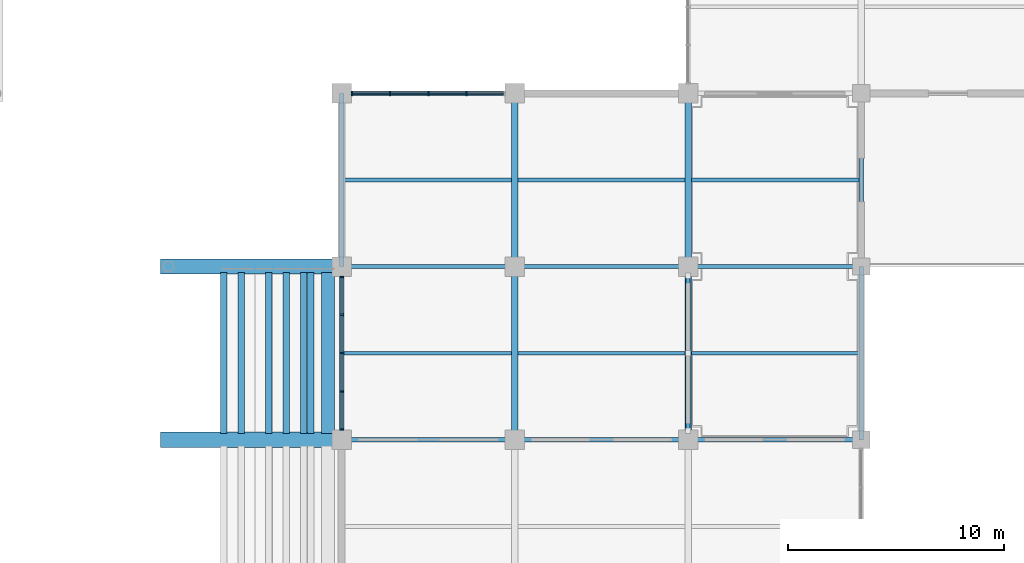
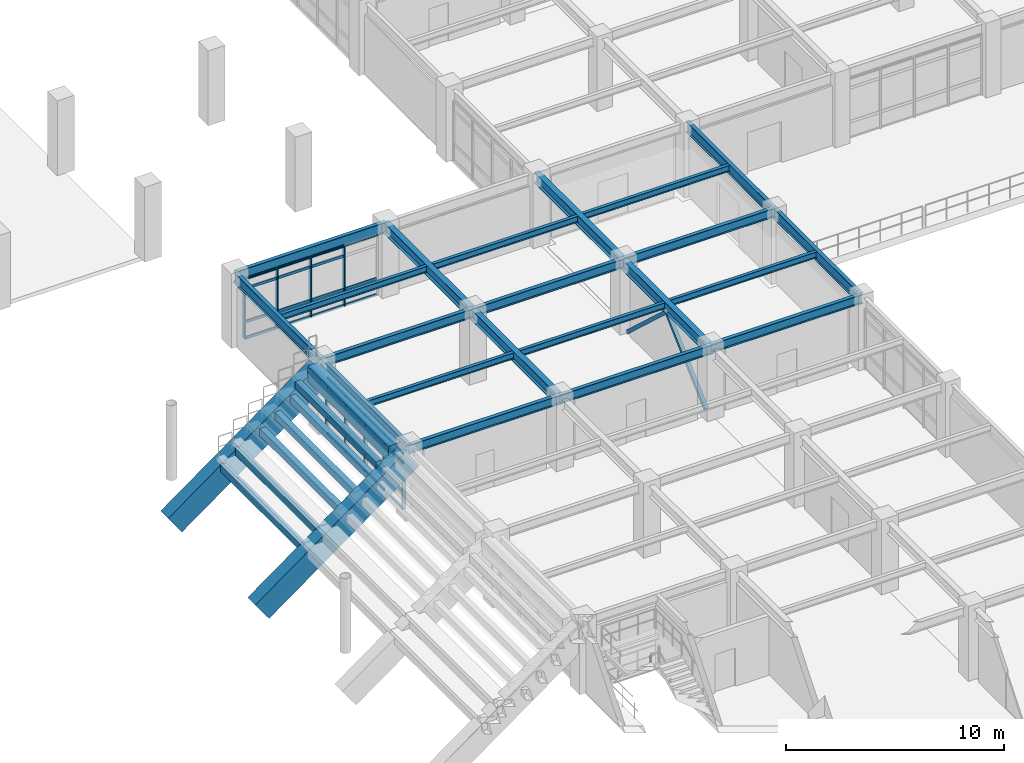
# One storey, part 58 of 118: 41 members, 30 beams, 2 elements without a shape of their own.
"""IFC4 building model written with IfcOpenShell, lengths in metres."""

from ifc_helpers import new_model, si_unit, direction, frame, origin, origin_2d, place, context, subcontext, project, spatial, rectangle, hollow_rectangle, i_section, extrude, material, layer, layer_set, material_profile, profile_set, type_object, element, aggregate, save


model = new_model("IFC4")

# Units and contexts
model_context = context("Model", 3, precision=1e-05, world=origin(), true_north=direction((0.0, 1.0)))
body_context = subcontext(model_context, "Body", "Model", "MODEL_VIEW")
ifc_project = project(units=[si_unit("LENGTHUNIT", "METRE"), si_unit("AREAUNIT", "SQUARE_METRE"), si_unit("VOLUMEUNIT", "CUBIC_METRE"), si_unit("PLANEANGLEUNIT", "RADIAN"), si_unit("MASSUNIT", "GRAM", prefix="KILO")], contexts=[model_context])

# Site, building, storey
site_placement = place(None, origin())
site = spatial("IfcSite", under=ifc_project, at=site_placement, CompositionType="ELEMENT")
building_placement = place(site_placement, origin())
building = spatial("IfcBuilding", under=site, at=building_placement, Name="Haebicheon Civic Stadium", CompositionType="ELEMENT")
storey_placement = place(building_placement, frame((0.0, 0.0, 14.39990234375)))
storey = spatial("IfcBuildingStorey", under=building, at=storey_placement, Name="L04", CompositionType="ELEMENT", Elevation=14.39990234375)

# Beams
ifc_material_1 = material(Name="Precast concrete C40/50", Category="concrete")
ifc_material_profile_1 = material_profile(ifc_material_1, rectangle(XDim=0.300048828125, YDim=0.39990234375, at=origin_2d()), Name="PC-LN-300x400")
ifc_profile_set_1 = profile_set([ifc_material_profile_1], Name="Precast concrete C40/50")
beam_type_1 = type_object("IfcBeamType", Name="BM-LN-300x400", PredefinedType="LINTEL", material=ifc_profile_set_1)
for number, where, z_axis, x_axis, name in (
    (1, (138.56005859375, 128.280029296875, -0.10693359375), (0.0, 1.0, 0.0), (-1.0, 0.0, 0.0), "TIER-E-U precast step carrier beam 11.4"),
    (2, (139.360107421875, 128.280029296875, 0.5380859375), (0.0, 1.0, 0.0), (-1.0, 0.0, 0.0), "TIER-E-U precast step carrier beam 11.5"),
    (3, (140.639892578125, 128.280029296875, 1.18212890625), (0.0, 1.0, 0.0), (-1.0, 0.0, 0.0), "TIER-E-U precast step carrier beam 11.6"),
    (4, (141.43994140625, 128.280029296875, 1.8271484375), (0.0, 1.0, 0.0), (-1.0, 0.0, 0.0), "TIER-E-U precast step carrier beam 11.7"),
    (5, (142.239990234375, 128.280029296875, 2.47119140625), (0.0, 1.0, 0.0), (-1.0, 0.0, 0.0), "TIER-E-U precast step carrier beam 11.8"),
    (6, (142.56005859375, 128.280029296875, 3.1162109375), (0.0, 1.0, 0.0), (-1.0, 0.0, 0.0), "TIER-E-U precast step carrier beam 11.9"),
):
    element("IfcBeam", number, at=place(storey_placement, frame(where, z_axis=z_axis, x_axis=x_axis)), inside=storey, type_object=beam_type_1, material=ifc_profile_set_1, Name=name, PredefinedType="LINTEL", context=body_context, shape_type="SweptSolid", body=[
        extrude(rectangle(XDim=0.300048828125, YDim=0.39990234375, at=origin_2d()), origin(), (0.0, 0.0, 1.0), 7.43994140625),
    ])
ifc_material_2 = material(Name="Steel SM355 (S355)", Category="steel")
ifc_material_profile_2 = material_profile(ifc_material_2, i_section(OverallWidth=0.199951171875, OverallDepth=0.5, WebThickness=0.010009765625, FlangeThickness=0.01611328125, at=origin_2d()), Name="H-500x200x10x16")
ifc_profile_set_2 = profile_set([ifc_material_profile_2], Name="Steel SM355 (S355)")
beam_type_2 = type_object("IfcBeamType", Name="BM-ST-H500", PredefinedType="BEAM", material=ifc_profile_set_2)
for number, where, z_axis, x_axis, name in (
    (7, (144.0, 128.0, 3.690185546875), (1.0, 0.0, 0.0), (0.0, 1.0, 0.0), "L04 beam S/19-20"),
    (8, (144.0, 136.0, 3.690185546875), (1.0, 0.0, 0.0), (0.0, 1.0, 0.0), "L04 beam T/19-20"),
    (9, (152.0, 128.0, 3.690185546875), (1.0, 0.0, 0.0), (0.0, 1.0, 0.0), "L04 beam S/20-21"),
    (10, (152.0, 136.0, 3.690185546875), (1.0, 0.0, 0.0), (0.0, 1.0, 0.0), "L04 beam T/20-21"),
    (11, (160.0, 128.0, 3.72998046875), (1.0, 0.0, 0.0), (0.0, 1.0, 0.0), "L04 beam S/21-22"),
    (12, (160.0, 136.0, 3.72998046875), (1.0, 0.0, 0.0), (0.0, 1.0, 0.0), "L04 beam T/21-22"),
):
    element("IfcBeam", number, at=place(storey_placement, frame(where, z_axis=z_axis, x_axis=x_axis)), inside=storey, type_object=beam_type_2, material=ifc_profile_set_2, Name=name, PredefinedType="BEAM", context=body_context, shape_type="SweptSolid", body=[
        extrude(i_section(OverallWidth=0.199951171875, OverallDepth=0.5, WebThickness=0.010009765625, FlangeThickness=0.01611328125, at=origin_2d()), origin(), (0.0, 0.0, 1.0), 8.0),
    ])
ifc_material_3 = material(Name="Steel SM355 (S355)", Category="steel")
ifc_material_profile_3 = material_profile(ifc_material_3, i_section(OverallWidth=0.300048828125, OverallDepth=0.60009765625, WebThickness=0.011962890625, FlangeThickness=0.02001953125, at=origin_2d()), Name="H-600x300x12x20")
ifc_profile_set_3 = profile_set([ifc_material_profile_3], Name="Steel SM355 (S355)")
beam_type_3 = type_object("IfcBeamType", Name="BM-ST-H600A", PredefinedType="BEAM", material=ifc_profile_set_3)
for number, where, z_axis, x_axis, name in (
    (13, (152.0, 128.0, 3.64013671875), (0.0, 1.0, 0.0), (-1.0, 0.0, 0.0), "L04 girder 20/S-T"),
    (14, (152.0, 136.0, 3.64013671875), (0.0, 1.0, 0.0), (-1.0, 0.0, 0.0), "L04 girder 20/T-U"),
    (15, (160.0, 128.0, 3.64013671875), (0.0, 1.0, 0.0), (-1.0, 0.0, 0.0), "L04 girder 21/S-T"),
    (16, (160.0, 136.0, 3.64013671875), (0.0, 1.0, 0.0), (-1.0, 0.0, 0.0), "L04 girder 21/T-U"),
):
    element("IfcBeam", number, at=place(storey_placement, frame(where, z_axis=z_axis, x_axis=x_axis)), inside=storey, type_object=beam_type_3, material=ifc_profile_set_3, Name=name, PredefinedType="BEAM", context=body_context, shape_type="SweptSolid", body=[
        extrude(i_section(OverallWidth=0.300048828125, OverallDepth=0.60009765625, WebThickness=0.011962890625, FlangeThickness=0.02001953125, at=origin_2d()), origin(), (0.0, 0.0, 1.0), 8.0),
    ])
ifc_material_4 = material(Name="Precast concrete C40/50", Category="concrete")
ifc_material_profile_4 = material_profile(ifc_material_4, rectangle(XDim=0.60009765625, YDim=0.85009765625, at=origin_2d()), Name="PC-TB-600x850")
ifc_profile_set_4 = profile_set([ifc_material_profile_4], Name="Precast concrete C40/50")
beam_type_4 = type_object("IfcBeamType", Name="BM-TB-600x850", PredefinedType="T_BEAM", material=ifc_profile_set_4)
beam_placement = place(storey_placement, frame((143.360107421875, 128.280029296875, 3.53515625), z_axis=(0.0, 1.0, 0.0), x_axis=(-1.0, 0.0, 0.0)))
element("IfcBeam", 17, at=beam_placement, inside=storey, type_object=beam_type_4, material=ifc_profile_set_4, Name="TIER-E-U upper tier bench carrier beam 11", PredefinedType="T_BEAM", context=body_context, shape_type="SweptSolid", body=[
    extrude(rectangle(XDim=0.60009765625, YDim=0.85009765625, at=origin_2d()), origin(), (0.0, 0.0, 1.0), 7.43994140625),
])

# Members
ifc_material_5 = material(Name="Steel SM355 (S355)", Category="steel")
ifc_material_profile_5 = material_profile(ifc_material_5, hollow_rectangle(XDim=0.199951171875, YDim=0.199951171875, WallThickness=0.009033203125, at=origin_2d()), Name="RHS-200x200x9.0")
ifc_profile_set_5 = profile_set([ifc_material_profile_5], Name="Steel SM355 (S355)")
member_type_1 = type_object("IfcMemberType", Name="BRC-RHS200", PredefinedType="BRACE", material=ifc_profile_set_5)
for number, where, z_axis, x_axis, name in (
    (18, (160.0, 128.419921875, 0.0400390625), (0.0, 0.735278088986, 0.677765543427), (-1.0, 0.0, 0.0), "BR200 chevron brace L04 19-16 A"),
    (19, (160.0, 135.580078125, 0.0400390625), (0.0, -0.735278088986, 0.677765543427), (1.0, 0.0, 0.0), "BR200 chevron brace L04 19-16 B"),
):
    element("IfcMember", number, at=place(storey_placement, frame(where, z_axis=z_axis, x_axis=x_axis)), inside=storey, type_object=member_type_1, material=ifc_profile_set_5, Name=name, PredefinedType="BRACE", context=body_context, shape_type="SweptSolid", body=[
        extrude(hollow_rectangle(XDim=0.199951171875, YDim=0.199951171875, WallThickness=0.009033203125, at=origin_2d()), origin(), (0.0, 0.0, 1.0), 4.868896484375),
    ])

# Curtain wall, members
ifc_material_6 = material(Name="Anodised aluminium and laminated glass", Category="aluminium")
ifc_layer_1 = layer(ifc_material_6, 0.179931640625, Name="Anodised aluminium and laminated glass")
ifc_layer_set_1 = layer_set([ifc_layer_1], Name="Anodised aluminium and laminated glass")
curtain_wall_type_1 = type_object("IfcCurtainWallType", Name="CW-7100x3100", PredefinedType="NOTDEFINED", material=ifc_layer_set_1)
curtain_wall_1_placement = place(storey_placement, origin())
curtain_wall_1 = element("IfcCurtainWall", 20, at=curtain_wall_1_placement, inside=storey, type_object=curtain_wall_type_1, material=ifc_layer_set_1, Name="L04 unitised curtain wall 147", PredefinedType="NOTDEFINED")
ifc_material_7 = material(Name="Anodised aluminium 6063-T6", Category="aluminium")
ifc_material_profile_6 = material_profile(ifc_material_7, rectangle(XDim=0.070068359375, YDim=0.199951171875, at=origin_2d()), Name="ALU-MULL-70x200")
ifc_profile_set_6 = profile_set([ifc_material_profile_6], Name="Anodised aluminium 6063-T6")
member_type_2 = type_object("IfcMemberType", Name="CWM-200x70", PredefinedType="MULLION", material=ifc_profile_set_6)
member_1_placement = place(storey_placement, frame((144.0, 128.485107421875, 0.0), z_axis=(0.0, 0.0, 1.0), x_axis=(0.0, 1.0, 0.0)))
member_1 = element("IfcMember", 21, at=member_1_placement, type_object=member_type_2, material=ifc_profile_set_6, Name="CW-L04-147 vertical mullion 1", PredefinedType="MULLION", context=body_context, shape_type="SweptSolid", body=[
    extrude(rectangle(XDim=0.070068359375, YDim=0.199951171875, at=origin_2d()), origin(), (0.0, 0.0, 1.0), 3.10009765625),
])
member_2_placement = place(storey_placement, frame((144.0, 130.22509765625, 0.0), z_axis=(0.0, 0.0, 1.0), x_axis=(0.0, 1.0, 0.0)))
member_2 = element("IfcMember", 22, at=member_2_placement, type_object=member_type_2, material=ifc_profile_set_6, Name="CW-L04-147 vertical mullion 2", PredefinedType="MULLION", context=body_context, shape_type="SweptSolid", body=[
    extrude(rectangle(XDim=0.070068359375, YDim=0.199951171875, at=origin_2d()), origin(), (0.0, 0.0, 1.0), 3.10009765625),
])
member_3_placement = place(storey_placement, frame((144.0, 132.0, 0.0), z_axis=(0.0, 0.0, 1.0), x_axis=(0.0, 1.0, 0.0)))
member_3 = element("IfcMember", 23, at=member_3_placement, type_object=member_type_2, material=ifc_profile_set_6, Name="CW-L04-147 vertical mullion 3", PredefinedType="MULLION", context=body_context, shape_type="SweptSolid", body=[
    extrude(rectangle(XDim=0.070068359375, YDim=0.199951171875, at=origin_2d()), origin(), (0.0, 0.0, 1.0), 3.10009765625),
])
member_4_placement = place(storey_placement, frame((144.0, 133.77490234375, 0.0), z_axis=(0.0, 0.0, 1.0), x_axis=(0.0, 1.0, 0.0)))
member_4 = element("IfcMember", 24, at=member_4_placement, type_object=member_type_2, material=ifc_profile_set_6, Name="CW-L04-147 vertical mullion 4", PredefinedType="MULLION", context=body_context, shape_type="SweptSolid", body=[
    extrude(rectangle(XDim=0.070068359375, YDim=0.199951171875, at=origin_2d()), origin(), (0.0, 0.0, 1.0), 3.10009765625),
])
member_5_placement = place(storey_placement, frame((144.0, 135.514892578125, 0.0), z_axis=(0.0, 0.0, 1.0), x_axis=(0.0, 1.0, 0.0)))
member_5 = element("IfcMember", 25, at=member_5_placement, type_object=member_type_2, material=ifc_profile_set_6, Name="CW-L04-147 vertical mullion 5", PredefinedType="MULLION", context=body_context, shape_type="SweptSolid", body=[
    extrude(rectangle(XDim=0.070068359375, YDim=0.199951171875, at=origin_2d()), origin(), (0.0, 0.0, 1.0), 3.10009765625),
])

ifc_material_8 = material(Name="Anodised aluminium and laminated glass", Category="aluminium")
ifc_layer_2 = layer(ifc_material_8, 0.179931640625, Name="Anodised aluminium and laminated glass")
ifc_layer_set_2 = layer_set([ifc_layer_2], Name="Anodised aluminium and laminated glass")
curtain_wall_type_2 = type_object("IfcCurtainWallType", Name="CW-7100x3330", PredefinedType="NOTDEFINED", material=ifc_layer_set_2)
curtain_wall_2_placement = place(storey_placement, origin())
curtain_wall_2 = element("IfcCurtainWall", 26, at=curtain_wall_2_placement, inside=storey, type_object=curtain_wall_type_2, material=ifc_layer_set_2, Name="L04 unitised curtain wall 148", PredefinedType="NOTDEFINED")
member_6_placement = place(storey_placement, frame((144.485107421875, 144.0, 0.0), z_axis=(0.0, 0.0, 1.0), x_axis=(1.0, 0.0, 0.0)))
member_6 = element("IfcMember", 27, at=member_6_placement, type_object=member_type_2, material=ifc_profile_set_6, Name="CW-L04-148 vertical mullion 1", PredefinedType="MULLION", context=body_context, shape_type="SweptSolid", body=[
    extrude(rectangle(XDim=0.070068359375, YDim=0.199951171875, at=origin_2d()), origin(), (0.0, 0.0, 1.0), 3.330078125),
])
member_7_placement = place(storey_placement, frame((146.22509765625, 144.0, 0.0), z_axis=(0.0, 0.0, 1.0), x_axis=(1.0, 0.0, 0.0)))
member_7 = element("IfcMember", 28, at=member_7_placement, type_object=member_type_2, material=ifc_profile_set_6, Name="CW-L04-148 vertical mullion 2", PredefinedType="MULLION", context=body_context, shape_type="SweptSolid", body=[
    extrude(rectangle(XDim=0.070068359375, YDim=0.199951171875, at=origin_2d()), origin(), (0.0, 0.0, 1.0), 3.330078125),
])
member_8_placement = place(storey_placement, frame((148.0, 144.0, 0.0), z_axis=(0.0, 0.0, 1.0), x_axis=(1.0, 0.0, 0.0)))
member_8 = element("IfcMember", 29, at=member_8_placement, type_object=member_type_2, material=ifc_profile_set_6, Name="CW-L04-148 vertical mullion 3", PredefinedType="MULLION", context=body_context, shape_type="SweptSolid", body=[
    extrude(rectangle(XDim=0.070068359375, YDim=0.199951171875, at=origin_2d()), origin(), (0.0, 0.0, 1.0), 3.330078125),
])
member_9_placement = place(storey_placement, frame((149.77490234375, 144.0, 0.0), z_axis=(0.0, 0.0, 1.0), x_axis=(1.0, 0.0, 0.0)))
member_9 = element("IfcMember", 30, at=member_9_placement, type_object=member_type_2, material=ifc_profile_set_6, Name="CW-L04-148 vertical mullion 4", PredefinedType="MULLION", context=body_context, shape_type="SweptSolid", body=[
    extrude(rectangle(XDim=0.070068359375, YDim=0.199951171875, at=origin_2d()), origin(), (0.0, 0.0, 1.0), 3.330078125),
])

# Member
ifc_material_9 = material(Name="Anodised aluminium 6063-T6", Category="aluminium")
ifc_material_profile_7 = material_profile(ifc_material_9, rectangle(XDim=0.070068359375, YDim=0.14990234375, at=origin_2d()), Name="ALU-TRAN-70x150")
ifc_profile_set_7 = profile_set([ifc_material_profile_7], Name="Anodised aluminium 6063-T6")
member_type_3 = type_object("IfcMemberType", Name="CWT-150x70", PredefinedType="NOTDEFINED", material=ifc_profile_set_7)
member_10_placement = place(storey_placement, frame((144.0, 128.52001953125, 0.0), z_axis=(0.0, 1.0, 0.0), x_axis=(-1.0, 0.0, 0.0)))
member_10 = element("IfcMember", 31, at=member_10_placement, type_object=member_type_3, material=ifc_profile_set_7, Name="CW-L04-147 horizontal transom 1.1", ObjectType="TRANSOM", PredefinedType="USERDEFINED", context=body_context, shape_type="SweptSolid", body=[
    extrude(rectangle(XDim=0.070068359375, YDim=0.14990234375, at=origin_2d()), origin(), (0.0, 0.0, 1.0), 1.669921875),
])

member_11_placement = place(storey_placement, frame((144.0, 128.52001953125, 0.900146484375), z_axis=(0.0, 1.0, 0.0), x_axis=(-1.0, 0.0, 0.0)))
member_11 = element("IfcMember", 32, at=member_11_placement, type_object=member_type_3, material=ifc_profile_set_7, Name="CW-L04-147 horizontal transom 1.2", ObjectType="TRANSOM", PredefinedType="USERDEFINED", context=body_context, shape_type="SweptSolid", body=[
    extrude(rectangle(XDim=0.070068359375, YDim=0.14990234375, at=origin_2d()), origin(), (0.0, 0.0, 1.0), 1.669921875),
])

member_12_placement = place(storey_placement, frame((144.0, 128.52001953125, 2.550048828125), z_axis=(0.0, 1.0, 0.0), x_axis=(-1.0, 0.0, 0.0)))
member_12 = element("IfcMember", 33, at=member_12_placement, type_object=member_type_3, material=ifc_profile_set_7, Name="CW-L04-147 horizontal transom 1.3", ObjectType="TRANSOM", PredefinedType="USERDEFINED", context=body_context, shape_type="SweptSolid", body=[
    extrude(rectangle(XDim=0.070068359375, YDim=0.14990234375, at=origin_2d()), origin(), (0.0, 0.0, 1.0), 1.669921875),
])

member_13_placement = place(storey_placement, frame((144.0, 128.52001953125, 3.10009765625), z_axis=(0.0, 1.0, 0.0), x_axis=(-1.0, 0.0, 0.0)))
member_13 = element("IfcMember", 34, at=member_13_placement, type_object=member_type_3, material=ifc_profile_set_7, Name="CW-L04-147 horizontal transom 1.4", ObjectType="TRANSOM", PredefinedType="USERDEFINED", context=body_context, shape_type="SweptSolid", body=[
    extrude(rectangle(XDim=0.070068359375, YDim=0.14990234375, at=origin_2d()), origin(), (0.0, 0.0, 1.0), 1.669921875),
])

member_14_placement = place(storey_placement, frame((144.0, 130.260009765625, 0.0), z_axis=(0.0, 1.0, 0.0), x_axis=(-1.0, 0.0, 0.0)))
member_14 = element("IfcMember", 35, at=member_14_placement, type_object=member_type_3, material=ifc_profile_set_7, Name="CW-L04-147 horizontal transom 2.1", ObjectType="TRANSOM", PredefinedType="USERDEFINED", context=body_context, shape_type="SweptSolid", body=[
    extrude(rectangle(XDim=0.070068359375, YDim=0.14990234375, at=origin_2d()), origin(), (0.0, 0.0, 1.0), 1.705078125),
])

member_15_placement = place(storey_placement, frame((144.0, 130.260009765625, 0.900146484375), z_axis=(0.0, 1.0, 0.0), x_axis=(-1.0, 0.0, 0.0)))
member_15 = element("IfcMember", 36, at=member_15_placement, type_object=member_type_3, material=ifc_profile_set_7, Name="CW-L04-147 horizontal transom 2.2", ObjectType="TRANSOM", PredefinedType="USERDEFINED", context=body_context, shape_type="SweptSolid", body=[
    extrude(rectangle(XDim=0.070068359375, YDim=0.14990234375, at=origin_2d()), origin(), (0.0, 0.0, 1.0), 1.705078125),
])

member_16_placement = place(storey_placement, frame((144.0, 130.260009765625, 2.550048828125), z_axis=(0.0, 1.0, 0.0), x_axis=(-1.0, 0.0, 0.0)))
member_16 = element("IfcMember", 37, at=member_16_placement, type_object=member_type_3, material=ifc_profile_set_7, Name="CW-L04-147 horizontal transom 2.3", ObjectType="TRANSOM", PredefinedType="USERDEFINED", context=body_context, shape_type="SweptSolid", body=[
    extrude(rectangle(XDim=0.070068359375, YDim=0.14990234375, at=origin_2d()), origin(), (0.0, 0.0, 1.0), 1.705078125),
])

member_17_placement = place(storey_placement, frame((144.0, 130.260009765625, 3.10009765625), z_axis=(0.0, 1.0, 0.0), x_axis=(-1.0, 0.0, 0.0)))
member_17 = element("IfcMember", 38, at=member_17_placement, type_object=member_type_3, material=ifc_profile_set_7, Name="CW-L04-147 horizontal transom 2.4", ObjectType="TRANSOM", PredefinedType="USERDEFINED", context=body_context, shape_type="SweptSolid", body=[
    extrude(rectangle(XDim=0.070068359375, YDim=0.14990234375, at=origin_2d()), origin(), (0.0, 0.0, 1.0), 1.705078125),
])

member_18_placement = place(storey_placement, frame((144.0, 132.034912109375, 0.0), z_axis=(0.0, 1.0, 0.0), x_axis=(-1.0, 0.0, 0.0)))
member_18 = element("IfcMember", 39, at=member_18_placement, type_object=member_type_3, material=ifc_profile_set_7, Name="CW-L04-147 horizontal transom 3.1", ObjectType="TRANSOM", PredefinedType="USERDEFINED", context=body_context, shape_type="SweptSolid", body=[
    extrude(rectangle(XDim=0.070068359375, YDim=0.14990234375, at=origin_2d()), origin(), (0.0, 0.0, 1.0), 1.705078125),
])

member_19_placement = place(storey_placement, frame((144.0, 132.034912109375, 0.900146484375), z_axis=(0.0, 1.0, 0.0), x_axis=(-1.0, 0.0, 0.0)))
member_19 = element("IfcMember", 40, at=member_19_placement, type_object=member_type_3, material=ifc_profile_set_7, Name="CW-L04-147 horizontal transom 3.2", ObjectType="TRANSOM", PredefinedType="USERDEFINED", context=body_context, shape_type="SweptSolid", body=[
    extrude(rectangle(XDim=0.070068359375, YDim=0.14990234375, at=origin_2d()), origin(), (0.0, 0.0, 1.0), 1.705078125),
])

member_20_placement = place(storey_placement, frame((144.0, 132.034912109375, 2.550048828125), z_axis=(0.0, 1.0, 0.0), x_axis=(-1.0, 0.0, 0.0)))
member_20 = element("IfcMember", 41, at=member_20_placement, type_object=member_type_3, material=ifc_profile_set_7, Name="CW-L04-147 horizontal transom 3.3", ObjectType="TRANSOM", PredefinedType="USERDEFINED", context=body_context, shape_type="SweptSolid", body=[
    extrude(rectangle(XDim=0.070068359375, YDim=0.14990234375, at=origin_2d()), origin(), (0.0, 0.0, 1.0), 1.705078125),
])

member_21_placement = place(storey_placement, frame((144.0, 132.034912109375, 3.10009765625), z_axis=(0.0, 1.0, 0.0), x_axis=(-1.0, 0.0, 0.0)))
member_21 = element("IfcMember", 42, at=member_21_placement, type_object=member_type_3, material=ifc_profile_set_7, Name="CW-L04-147 horizontal transom 3.4", ObjectType="TRANSOM", PredefinedType="USERDEFINED", context=body_context, shape_type="SweptSolid", body=[
    extrude(rectangle(XDim=0.070068359375, YDim=0.14990234375, at=origin_2d()), origin(), (0.0, 0.0, 1.0), 1.705078125),
])

member_22_placement = place(storey_placement, frame((144.0, 133.81005859375, 0.0), z_axis=(0.0, 1.0, 0.0), x_axis=(-1.0, 0.0, 0.0)))
member_22 = element("IfcMember", 43, at=member_22_placement, type_object=member_type_3, material=ifc_profile_set_7, Name="CW-L04-147 horizontal transom 4.1", ObjectType="TRANSOM", PredefinedType="USERDEFINED", context=body_context, shape_type="SweptSolid", body=[
    extrude(rectangle(XDim=0.070068359375, YDim=0.14990234375, at=origin_2d()), origin(), (0.0, 0.0, 1.0), 1.669921875),
])

member_23_placement = place(storey_placement, frame((144.0, 133.81005859375, 0.900146484375), z_axis=(0.0, 1.0, 0.0), x_axis=(-1.0, 0.0, 0.0)))
member_23 = element("IfcMember", 44, at=member_23_placement, type_object=member_type_3, material=ifc_profile_set_7, Name="CW-L04-147 horizontal transom 4.2", ObjectType="TRANSOM", PredefinedType="USERDEFINED", context=body_context, shape_type="SweptSolid", body=[
    extrude(rectangle(XDim=0.070068359375, YDim=0.14990234375, at=origin_2d()), origin(), (0.0, 0.0, 1.0), 1.669921875),
])

member_24_placement = place(storey_placement, frame((144.0, 133.81005859375, 2.550048828125), z_axis=(0.0, 1.0, 0.0), x_axis=(-1.0, 0.0, 0.0)))
member_24 = element("IfcMember", 45, at=member_24_placement, type_object=member_type_3, material=ifc_profile_set_7, Name="CW-L04-147 horizontal transom 4.3", ObjectType="TRANSOM", PredefinedType="USERDEFINED", context=body_context, shape_type="SweptSolid", body=[
    extrude(rectangle(XDim=0.070068359375, YDim=0.14990234375, at=origin_2d()), origin(), (0.0, 0.0, 1.0), 1.669921875),
])

member_25_placement = place(storey_placement, frame((144.0, 133.81005859375, 3.10009765625), z_axis=(0.0, 1.0, 0.0), x_axis=(-1.0, 0.0, 0.0)))
member_25 = element("IfcMember", 46, at=member_25_placement, type_object=member_type_3, material=ifc_profile_set_7, Name="CW-L04-147 horizontal transom 4.4", ObjectType="TRANSOM", PredefinedType="USERDEFINED", context=body_context, shape_type="SweptSolid", body=[
    extrude(rectangle(XDim=0.070068359375, YDim=0.14990234375, at=origin_2d()), origin(), (0.0, 0.0, 1.0), 1.669921875),
])

aggregate(curtain_wall_1, [member_1, member_2, member_3, member_4, member_5, member_10, member_11, member_12, member_13, member_14, member_15, member_16, member_17, member_18, member_19, member_20, member_21, member_22, member_23, member_24, member_25])

member_26_placement = place(storey_placement, frame((144.52001953125, 144.0, 0.0), z_axis=(1.0, 0.0, 0.0), x_axis=(0.0, 1.0, 0.0)))
member_26 = element("IfcMember", 47, at=member_26_placement, type_object=member_type_3, material=ifc_profile_set_7, Name="CW-L04-148 horizontal transom 1.1", ObjectType="TRANSOM", PredefinedType="USERDEFINED", context=body_context, shape_type="SweptSolid", body=[
    extrude(rectangle(XDim=0.070068359375, YDim=0.14990234375, at=origin_2d()), origin(), (0.0, 0.0, 1.0), 1.669921875),
])

member_27_placement = place(storey_placement, frame((144.52001953125, 144.0, 0.900146484375), z_axis=(1.0, 0.0, 0.0), x_axis=(0.0, 1.0, 0.0)))
member_27 = element("IfcMember", 48, at=member_27_placement, type_object=member_type_3, material=ifc_profile_set_7, Name="CW-L04-148 horizontal transom 1.2", ObjectType="TRANSOM", PredefinedType="USERDEFINED", context=body_context, shape_type="SweptSolid", body=[
    extrude(rectangle(XDim=0.070068359375, YDim=0.14990234375, at=origin_2d()), origin(), (0.0, 0.0, 1.0), 1.669921875),
])

member_28_placement = place(storey_placement, frame((144.52001953125, 144.0, 2.780029296875), z_axis=(1.0, 0.0, 0.0), x_axis=(0.0, 1.0, 0.0)))
member_28 = element("IfcMember", 49, at=member_28_placement, type_object=member_type_3, material=ifc_profile_set_7, Name="CW-L04-148 horizontal transom 1.3", ObjectType="TRANSOM", PredefinedType="USERDEFINED", context=body_context, shape_type="SweptSolid", body=[
    extrude(rectangle(XDim=0.070068359375, YDim=0.14990234375, at=origin_2d()), origin(), (0.0, 0.0, 1.0), 1.669921875),
])

member_29_placement = place(storey_placement, frame((144.52001953125, 144.0, 3.330078125), z_axis=(1.0, 0.0, 0.0), x_axis=(0.0, 1.0, 0.0)))
member_29 = element("IfcMember", 50, at=member_29_placement, type_object=member_type_3, material=ifc_profile_set_7, Name="CW-L04-148 horizontal transom 1.4", ObjectType="TRANSOM", PredefinedType="USERDEFINED", context=body_context, shape_type="SweptSolid", body=[
    extrude(rectangle(XDim=0.070068359375, YDim=0.14990234375, at=origin_2d()), origin(), (0.0, 0.0, 1.0), 1.669921875),
])

member_30_placement = place(storey_placement, frame((146.260009765625, 144.0, 0.0), z_axis=(1.0, 0.0, 0.0), x_axis=(0.0, 1.0, 0.0)))
member_30 = element("IfcMember", 51, at=member_30_placement, type_object=member_type_3, material=ifc_profile_set_7, Name="CW-L04-148 horizontal transom 2.1", ObjectType="TRANSOM", PredefinedType="USERDEFINED", context=body_context, shape_type="SweptSolid", body=[
    extrude(rectangle(XDim=0.070068359375, YDim=0.14990234375, at=origin_2d()), origin(), (0.0, 0.0, 1.0), 1.705078125),
])

member_31_placement = place(storey_placement, frame((146.260009765625, 144.0, 0.900146484375), z_axis=(1.0, 0.0, 0.0), x_axis=(0.0, 1.0, 0.0)))
member_31 = element("IfcMember", 52, at=member_31_placement, type_object=member_type_3, material=ifc_profile_set_7, Name="CW-L04-148 horizontal transom 2.2", ObjectType="TRANSOM", PredefinedType="USERDEFINED", context=body_context, shape_type="SweptSolid", body=[
    extrude(rectangle(XDim=0.070068359375, YDim=0.14990234375, at=origin_2d()), origin(), (0.0, 0.0, 1.0), 1.705078125),
])

member_32_placement = place(storey_placement, frame((146.260009765625, 144.0, 2.780029296875), z_axis=(1.0, 0.0, 0.0), x_axis=(0.0, 1.0, 0.0)))
member_32 = element("IfcMember", 53, at=member_32_placement, type_object=member_type_3, material=ifc_profile_set_7, Name="CW-L04-148 horizontal transom 2.3", ObjectType="TRANSOM", PredefinedType="USERDEFINED", context=body_context, shape_type="SweptSolid", body=[
    extrude(rectangle(XDim=0.070068359375, YDim=0.14990234375, at=origin_2d()), origin(), (0.0, 0.0, 1.0), 1.705078125),
])

member_33_placement = place(storey_placement, frame((146.260009765625, 144.0, 3.330078125), z_axis=(1.0, 0.0, 0.0), x_axis=(0.0, 1.0, 0.0)))
member_33 = element("IfcMember", 54, at=member_33_placement, type_object=member_type_3, material=ifc_profile_set_7, Name="CW-L04-148 horizontal transom 2.4", ObjectType="TRANSOM", PredefinedType="USERDEFINED", context=body_context, shape_type="SweptSolid", body=[
    extrude(rectangle(XDim=0.070068359375, YDim=0.14990234375, at=origin_2d()), origin(), (0.0, 0.0, 1.0), 1.705078125),
])

member_34_placement = place(storey_placement, frame((148.034912109375, 144.0, 0.0), z_axis=(1.0, 0.0, 0.0), x_axis=(0.0, 1.0, 0.0)))
member_34 = element("IfcMember", 55, at=member_34_placement, type_object=member_type_3, material=ifc_profile_set_7, Name="CW-L04-148 horizontal transom 3.1", ObjectType="TRANSOM", PredefinedType="USERDEFINED", context=body_context, shape_type="SweptSolid", body=[
    extrude(rectangle(XDim=0.070068359375, YDim=0.14990234375, at=origin_2d()), origin(), (0.0, 0.0, 1.0), 1.705078125),
])

member_35_placement = place(storey_placement, frame((148.034912109375, 144.0, 0.900146484375), z_axis=(1.0, 0.0, 0.0), x_axis=(0.0, 1.0, 0.0)))
member_35 = element("IfcMember", 56, at=member_35_placement, type_object=member_type_3, material=ifc_profile_set_7, Name="CW-L04-148 horizontal transom 3.2", ObjectType="TRANSOM", PredefinedType="USERDEFINED", context=body_context, shape_type="SweptSolid", body=[
    extrude(rectangle(XDim=0.070068359375, YDim=0.14990234375, at=origin_2d()), origin(), (0.0, 0.0, 1.0), 1.705078125),
])

member_36_placement = place(storey_placement, frame((148.034912109375, 144.0, 2.780029296875), z_axis=(1.0, 0.0, 0.0), x_axis=(0.0, 1.0, 0.0)))
member_36 = element("IfcMember", 57, at=member_36_placement, type_object=member_type_3, material=ifc_profile_set_7, Name="CW-L04-148 horizontal transom 3.3", ObjectType="TRANSOM", PredefinedType="USERDEFINED", context=body_context, shape_type="SweptSolid", body=[
    extrude(rectangle(XDim=0.070068359375, YDim=0.14990234375, at=origin_2d()), origin(), (0.0, 0.0, 1.0), 1.705078125),
])

member_37_placement = place(storey_placement, frame((148.034912109375, 144.0, 3.330078125), z_axis=(1.0, 0.0, 0.0), x_axis=(0.0, 1.0, 0.0)))
member_37 = element("IfcMember", 58, at=member_37_placement, type_object=member_type_3, material=ifc_profile_set_7, Name="CW-L04-148 horizontal transom 3.4", ObjectType="TRANSOM", PredefinedType="USERDEFINED", context=body_context, shape_type="SweptSolid", body=[
    extrude(rectangle(XDim=0.070068359375, YDim=0.14990234375, at=origin_2d()), origin(), (0.0, 0.0, 1.0), 1.705078125),
])

member_38_placement = place(storey_placement, frame((149.81005859375, 144.0, 0.0), z_axis=(1.0, 0.0, 0.0), x_axis=(0.0, 1.0, 0.0)))
member_38 = element("IfcMember", 59, at=member_38_placement, type_object=member_type_3, material=ifc_profile_set_7, Name="CW-L04-148 horizontal transom 4.1", ObjectType="TRANSOM", PredefinedType="USERDEFINED", context=body_context, shape_type="SweptSolid", body=[
    extrude(rectangle(XDim=0.070068359375, YDim=0.14990234375, at=origin_2d()), origin(), (0.0, 0.0, 1.0), 1.669921875),
])

member_39_placement = place(storey_placement, frame((149.81005859375, 144.0, 0.900146484375), z_axis=(1.0, 0.0, 0.0), x_axis=(0.0, 1.0, 0.0)))
member_39 = element("IfcMember", 60, at=member_39_placement, type_object=member_type_3, material=ifc_profile_set_7, Name="CW-L04-148 horizontal transom 4.2", ObjectType="TRANSOM", PredefinedType="USERDEFINED", context=body_context, shape_type="SweptSolid", body=[
    extrude(rectangle(XDim=0.070068359375, YDim=0.14990234375, at=origin_2d()), origin(), (0.0, 0.0, 1.0), 1.669921875),
])

aggregate(curtain_wall_2, [member_6, member_7, member_8, member_9, member_26, member_27, member_28, member_29, member_30, member_31, member_32, member_33, member_34, member_35, member_36, member_37, member_38, member_39])

# Beams
ifc_material_10 = material(Name="Steel SM355 (S355)", Category="steel")
ifc_material_profile_8 = material_profile(ifc_material_10, i_section(OverallWidth=0.175048828125, OverallDepth=0.35009765625, WebThickness=0.007080078125, FlangeThickness=0.010986328125, at=origin_2d()), Name="H-350x175x7x11")
ifc_profile_set_8 = profile_set([ifc_material_profile_8], Name="Steel SM355 (S355)")
beam_type_5 = type_object("IfcBeamType", Name="JST-ST-H350", PredefinedType="JOIST", material=ifc_profile_set_8)
for number, where, z_axis, x_axis, name in (
    (61, (144.10009765625, 132.0, 3.76513671875), (1.0, 0.0, 0.0), (0.0, 1.0, 0.0), "L04 secondary joist 18-16"),
    (62, (144.10009765625, 140.0, 3.76513671875), (1.0, 0.0, 0.0), (0.0, 1.0, 0.0), "L04 secondary joist 18-17"),
):
    element("IfcBeam", number, at=place(storey_placement, frame(where, z_axis=z_axis, x_axis=x_axis)), inside=storey, type_object=beam_type_5, material=ifc_profile_set_8, Name=name, PredefinedType="JOIST", context=body_context, shape_type="SweptSolid", body=[
        extrude(i_section(OverallWidth=0.175048828125, OverallDepth=0.35009765625, WebThickness=0.007080078125, FlangeThickness=0.010986328125, at=origin_2d()), origin(), (0.0, 0.0, 1.0), 7.75),
    ])
for number, where, z_axis, x_axis, name in (
    (63, (152.14990234375, 132.0, 3.76513671875), (1.0, 0.0, 0.0), (0.0, 1.0, 0.0), "L04 secondary joist 19-16"),
    (64, (152.14990234375, 140.0, 3.76513671875), (1.0, 0.0, 0.0), (0.0, 1.0, 0.0), "L04 secondary joist 19-17"),
):
    element("IfcBeam", number, at=place(storey_placement, frame(where, z_axis=z_axis, x_axis=x_axis)), inside=storey, type_object=beam_type_5, material=ifc_profile_set_8, Name=name, PredefinedType="JOIST", context=body_context, shape_type="SweptSolid", body=[
        extrude(i_section(OverallWidth=0.175048828125, OverallDepth=0.35009765625, WebThickness=0.007080078125, FlangeThickness=0.010986328125, at=origin_2d()), origin(), (0.0, 0.0, 1.0), 7.7001953125),
    ])
for number, where, z_axis, x_axis, name in (
    (65, (160.14990234375, 132.0, 3.80517578125), (1.0, 0.0, 0.0), (0.0, 1.0, 0.0), "L04 secondary joist 20-16"),
    (66, (160.14990234375, 140.0, 3.80517578125), (1.0, 0.0, 0.0), (0.0, 1.0, 0.0), "L04 secondary joist 20-17"),
):
    element("IfcBeam", number, at=place(storey_placement, frame(where, z_axis=z_axis, x_axis=x_axis)), inside=storey, type_object=beam_type_5, material=ifc_profile_set_8, Name=name, PredefinedType="JOIST", context=body_context, shape_type="SweptSolid", body=[
        extrude(i_section(OverallWidth=0.175048828125, OverallDepth=0.35009765625, WebThickness=0.007080078125, FlangeThickness=0.010986328125, at=origin_2d()), origin(), (0.0, 0.0, 1.0), 7.75),
    ])
ifc_material_11 = material(Name="Precast concrete C40/50", Category="concrete")
ifc_material_profile_9 = material_profile(ifc_material_11, rectangle(XDim=0.699951171875, YDim=1.25, at=origin_2d()), Name="PC-RK-700x1250")
ifc_profile_set_9 = profile_set([ifc_material_profile_9], Name="Precast concrete C40/50")
beam_type_6 = type_object("IfcBeamType", Name="RK-PC-700x1250", PredefinedType="USERDEFINED", material=ifc_profile_set_9)
for number, where, z_axis, x_axis, name in (
    (67, (136.0, 128.0, -2.46484375), (0.809608095134, 0.0, 0.586970810428), (0.0, 1.0, 0.0), "TIER-E-U inclined precast raker beam 11"),
    (68, (136.0, 136.0, -2.46484375), (0.809608095134, 0.0, 0.586970810428), (0.0, 1.0, 0.0), "TIER-E-U inclined precast raker beam 12"),
):
    element("IfcBeam", number, at=place(storey_placement, frame(where, z_axis=z_axis, x_axis=x_axis)), inside=storey, type_object=beam_type_6, material=ifc_profile_set_9, Name=name, ObjectType="RAKER BEAM", PredefinedType="USERDEFINED", context=body_context, shape_type="SweptSolid", body=[
        extrude(rectangle(XDim=0.699951171875, YDim=1.25, at=origin_2d()), origin(), (0.0, 0.0, 1.0), 9.88134765625),
    ])
ifc_material_12 = material(Name="Steel SM355 (S355)", Category="steel")
ifc_material_profile_10 = material_profile(ifc_material_12, i_section(OverallWidth=0.199951171875, OverallDepth=0.60009765625, WebThickness=0.010986328125, FlangeThickness=0.01708984375, at=origin_2d()), Name="H-600x200x11x17")
ifc_profile_set_10 = profile_set([ifc_material_profile_10], Name="Steel SM355 (S355)")
beam_type_7 = type_object("IfcBeamType", Name="SPD-ST-H600B", PredefinedType="SPANDREL", material=ifc_profile_set_10)
for number, where, z_axis, x_axis, name in (
    (69, (144.0, 128.0, 3.64013671875), (0.0, 1.0, 0.0), (-1.0, 0.0, 0.0), "L04 girder 19/S-T"),
    (70, (144.0, 136.0, 3.64013671875), (0.0, 1.0, 0.0), (-1.0, 0.0, 0.0), "L04 girder 19/T-U"),
    (71, (168.0, 128.0, 3.68017578125), (0.0, 1.0, 0.0), (-1.0, 0.0, 0.0), "L04 girder 22/S-T"),
    (72, (168.0, 136.0, 3.68017578125), (0.0, 1.0, 0.0), (-1.0, 0.0, 0.0), "L04 girder 22/T-U"),
    (73, (144.0, 144.0, 3.64013671875), (1.0, 0.0, 0.0), (0.0, 1.0, 0.0), "L04 beam U/19-20"),
):
    element("IfcBeam", number, at=place(storey_placement, frame(where, z_axis=z_axis, x_axis=x_axis)), inside=storey, type_object=beam_type_7, material=ifc_profile_set_10, Name=name, PredefinedType="SPANDREL", context=body_context, shape_type="SweptSolid", body=[
        extrude(i_section(OverallWidth=0.199951171875, OverallDepth=0.60009765625, WebThickness=0.010986328125, FlangeThickness=0.01708984375, at=origin_2d()), origin(), (0.0, 0.0, 1.0), 8.0),
    ])

save(model, "model.ifc")
